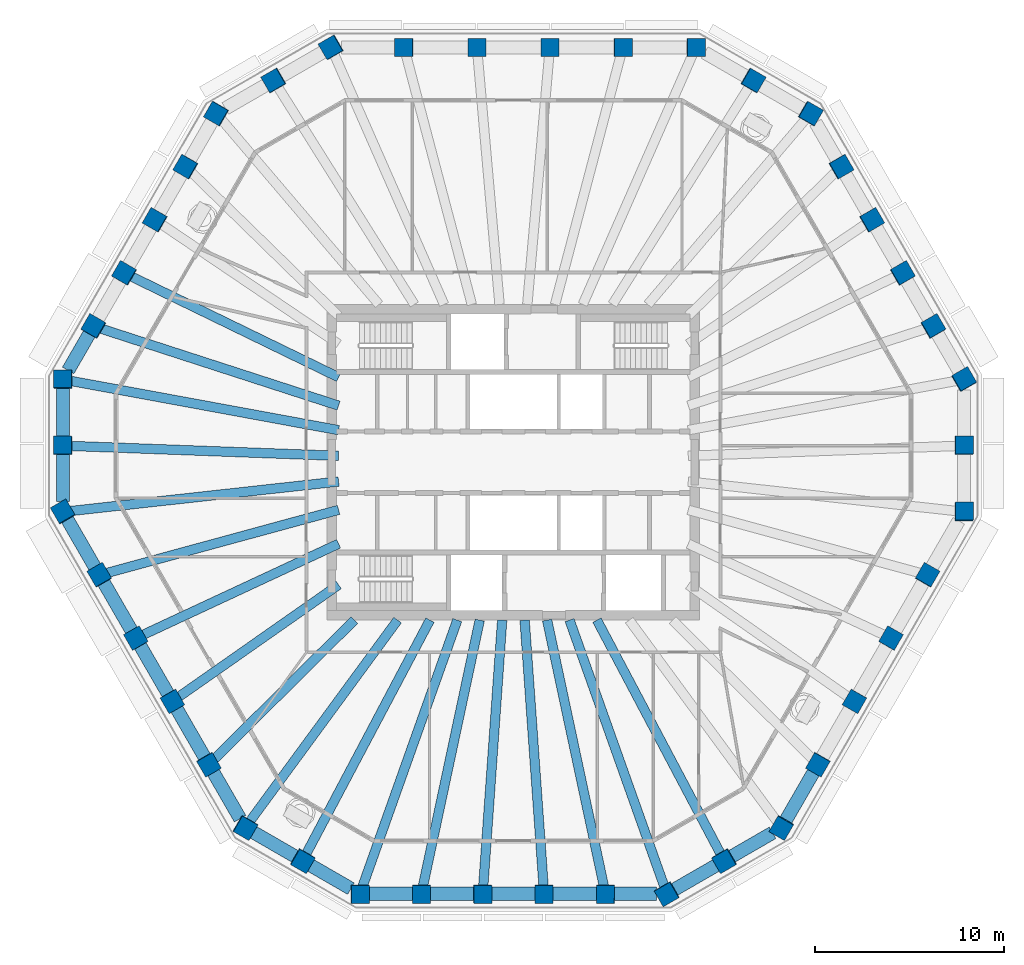
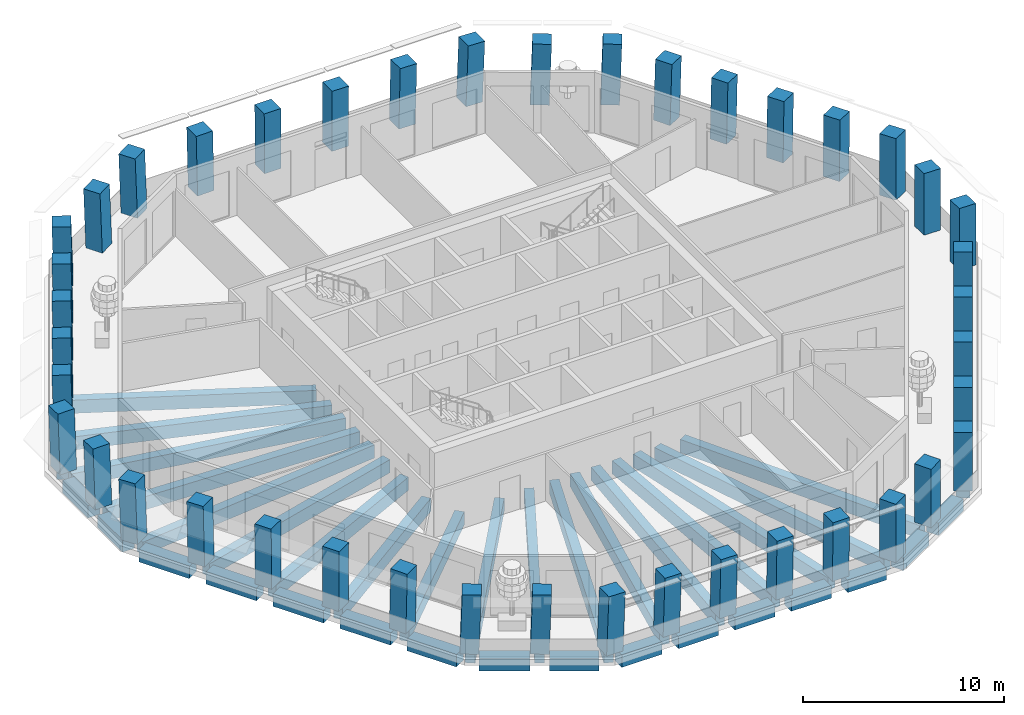
# One storey, part 1 of 12: 42 columns, 36 beams.
"""IFC4 building model written with IfcOpenShell, lengths in metres."""

from ifc_helpers import new_model, si_unit, direction, frame, origin, origin_2d, place, context, subcontext, project, spatial, rectangle, extrude, material, material_profile, profile_set, type_object, element, save


model = new_model("IFC4")

# Units and contexts
model_context = context("Model", 3, precision=1e-05, world=origin(), true_north=direction((0.0, 1.0)))
body_context = subcontext(model_context, "Body", "Model", "MODEL_VIEW")
ifc_project = project(units=[si_unit("LENGTHUNIT", "METRE"), si_unit("AREAUNIT", "SQUARE_METRE"), si_unit("VOLUMEUNIT", "CUBIC_METRE"), si_unit("PLANEANGLEUNIT", "RADIAN"), si_unit("MASSUNIT", "GRAM", prefix="KILO")], contexts=[model_context])

# Site, building, storey
site_placement = place(None, origin())
site = spatial("IfcSite", under=ifc_project, at=site_placement, CompositionType="ELEMENT")
building_placement = place(site_placement, origin())
building = spatial("IfcBuilding", under=site, at=building_placement, Name="Frailejon Research Tower", CompositionType="ELEMENT")
storey_placement = place(building_placement, frame((0.0, 0.0, 291.0)))
storey = spatial("IfcBuildingStorey", under=building, at=storey_placement, Name="L64", CompositionType="ELEMENT", Elevation=291.0)

# Columns
ifc_material_1 = material(Name="Concrete C50/60", Category="concrete")
ifc_material_profile_1 = material_profile(ifc_material_1, rectangle(XDim=0.949951171875, YDim=0.949951171875, at=origin_2d()), Name="Column 950")
ifc_profile_set_1 = profile_set([ifc_material_profile_1], Name="Concrete C50/60")
column_type = type_object("IfcColumnType", Name="Column 950", PredefinedType="COLUMN", material=ifc_profile_set_1)
for number, where, z_axis, x_axis, name in (
    (1, (23.831787109375, -2.6220703125, 0.0), (0.018115165867, 0.031417446337, 0.999342176049), (-0.001297375745, 0.999506085267, -0.031399081689), "Column C01"),
    (2, (23.831787109375, 0.8798828125, 0.0), (0.018115165867, 0.031417446337, 0.999342176049), (-0.001297375745, 0.999506085267, -0.031399081689), "Column C02"),
    (3, (23.831787109375, 4.3818359375, 0.0), (0.018115165867, 0.031417446337, 0.999342176049), (-0.501041092948, 0.865233799715, -0.018118913022), "Column C03"),
):
    element("IfcColumn", number, at=place(storey_placement, frame(where, z_axis=z_axis, x_axis=x_axis)), inside=storey, type_object=column_type, Name=name, PredefinedType="COLUMN", context=body_context, shape_type="SweptSolid", body=[
        extrude(rectangle(XDim=0.949951171875, YDim=0.949951171875, at=origin_2d()), origin(), (0.0, 0.0, 1.0), 3.65234375),
    ])
column_1_placement = place(storey_placement, frame((22.20751953125, 7.195068359375, 0.0), z_axis=(0.021793949015, 0.025136579231, 0.999446434868), x_axis=(-0.499665408411, 0.866150057728, -0.010888394553)))
element("IfcColumn", 4, at=column_1_placement, inside=storey, type_object=column_type, Name="Column C04", PredefinedType="COLUMN", context=body_context, shape_type="SweptSolid", body=[
    extrude(rectangle(XDim=0.949951171875, YDim=0.949951171875, at=origin_2d()), origin(), (0.0, 0.0, 1.0), 3.65185546875),
])
for number, where, z_axis, x_axis, name in (
    (5, (20.58349609375, 10.00830078125, 0.0), (0.025338523594, 0.018853466104, 0.999501128583), (-0.501175757197, 0.865337954228, -0.003617370643), "Column C05"),
    (6, (18.959228515625, 12.821533203125, 0.0), (0.029015583354, 0.012568962375, 0.99949993352), (-0.499848966802, 0.86610502362, 0.003619177736), "Column C06"),
):
    element("IfcColumn", number, at=place(storey_placement, frame(where, z_axis=z_axis, x_axis=x_axis)), inside=storey, type_object=column_type, Name=name, PredefinedType="COLUMN", context=body_context, shape_type="SweptSolid", body=[
        extrude(rectangle(XDim=0.949951171875, YDim=0.949951171875, at=origin_2d()), origin(), (0.0, 0.0, 1.0), 3.651611328125),
    ])
column_2_placement = place(storey_placement, frame((17.3349609375, 15.634765625, 0.0), z_axis=(0.032624119908, 0.006284154245, 0.999447935715), x_axis=(-0.499397268022, 0.866305114166, 0.010854393717)))
element("IfcColumn", 7, at=column_2_placement, inside=storey, type_object=column_type, Name="Column C07", PredefinedType="COLUMN", context=body_context, shape_type="SweptSolid", body=[
    extrude(rectangle(XDim=0.949951171875, YDim=0.949951171875, at=origin_2d()), origin(), (0.0, 0.0, 1.0), 3.65185546875),
])
for number, where, z_axis, x_axis, name in (
    (8, (15.710693359375, 18.447998046875, 0.0), (0.036297136169, 0.0, 0.99934104184), (-0.865312543657, 0.500246354177, 0.031429077673), "Column C08"),
    (9, (12.677978515625, 20.198974609375, 0.0), (0.036230378439, 0.0, 0.99934346432), (-0.865314641241, 0.500246354177, 0.031371273281), "Column C09"),
    (10, (9.645263671875, 21.949951171875, 0.0), (0.036230378439, 0.0, 0.99934346432), (-0.99934346432, 0.0, 0.036230378439), "Column C10"),
):
    element("IfcColumn", number, at=place(storey_placement, frame(where, z_axis=z_axis, x_axis=x_axis)), inside=storey, type_object=column_type, Name=name, PredefinedType="COLUMN", context=body_context, shape_type="SweptSolid", body=[
        extrude(rectangle(XDim=0.949951171875, YDim=0.949951171875, at=origin_2d()), origin(), (0.0, 0.0, 1.0), 3.65234375),
    ])
column_3_placement = place(storey_placement, frame((5.787109375, 21.949951171875, 0.0), z_axis=(0.021800837506, 0.0, 0.999762333499), x_axis=(-0.999762333499, 0.0, 0.021800837506)))
element("IfcColumn", 11, at=column_3_placement, inside=storey, type_object=column_type, Name="Column C11", PredefinedType="COLUMN", context=body_context, shape_type="SweptSolid", body=[
    extrude(rectangle(XDim=0.949951171875, YDim=0.949951171875, at=origin_2d()), origin(), (0.0, 0.0, 1.0), 3.65087890625),
])
for number, where, z_axis, x_axis, name in (
    (12, (1.928955078125, 21.949951171875, 0.0), (0.00729077612, 0.0, 0.999973421939), (-0.999973421939, 0.0, 0.00729077612), "Column C12"),
    (13, (-1.928955078125, 21.949951171875, 0.0), (-0.00729077612, 0.0, 0.999973421939), (-0.999973421939, 0.0, -0.00729077612), "Column C13"),
):
    element("IfcColumn", number, at=place(storey_placement, frame(where, z_axis=z_axis, x_axis=x_axis)), inside=storey, type_object=column_type, Name=name, PredefinedType="COLUMN", context=body_context, shape_type="SweptSolid", body=[
        extrude(rectangle(XDim=0.949951171875, YDim=0.949951171875, at=origin_2d()), origin(), (0.0, 0.0, 1.0), 3.64990234375),
    ])
column_4_placement = place(storey_placement, frame((-5.787109375, 21.949951171875, 0.0), z_axis=(-0.021800837506, 0.0, 0.999762333499), x_axis=(-0.999762333499, 0.0, -0.021800837506)))
element("IfcColumn", 14, at=column_4_placement, inside=storey, type_object=column_type, Name="Column C14", PredefinedType="COLUMN", context=body_context, shape_type="SweptSolid", body=[
    extrude(rectangle(XDim=0.949951171875, YDim=0.949951171875, at=origin_2d()), origin(), (0.0, 0.0, 1.0), 3.65087890625),
])
for number, where, z_axis, x_axis, name in (
    (15, (-9.645263671875, 21.949951171875, 0.0), (-0.036230378439, 0.0, 0.99934346432), (-0.865314641241, -0.500246354177, -0.031371273281), "Column C15"),
    (16, (-12.677978515625, 20.198974609375, 0.0), (-0.036230378439, 0.0, 0.99934346432), (-0.865314641241, -0.500246354177, -0.031371273281), "Column C16"),
    (17, (-15.710693359375, 18.447998046875, 0.0), (-0.036297136169, 0.0, 0.99934104184), (-0.49942428864, -0.866167613071, -0.018139624664), "Column C17"),
):
    element("IfcColumn", number, at=place(storey_placement, frame(where, z_axis=z_axis, x_axis=x_axis)), inside=storey, type_object=column_type, Name=name, PredefinedType="COLUMN", context=body_context, shape_type="SweptSolid", body=[
        extrude(rectangle(XDim=0.949951171875, YDim=0.949951171875, at=origin_2d()), origin(), (0.0, 0.0, 1.0), 3.65234375),
    ])
column_5_placement = place(storey_placement, frame((-17.3349609375, 15.634765625, 0.0), z_axis=(-0.032624119908, 0.006284154245, 0.999447935715), x_axis=(-0.499397268022, -0.866305114166, -0.010854393717)))
element("IfcColumn", 18, at=column_5_placement, inside=storey, type_object=column_type, Name="Column C18", PredefinedType="COLUMN", context=body_context, shape_type="SweptSolid", body=[
    extrude(rectangle(XDim=0.949951171875, YDim=0.949951171875, at=origin_2d()), origin(), (0.0, 0.0, 1.0), 3.65185546875),
])
for number, where, z_axis, x_axis, name in (
    (19, (-18.959228515625, 12.821533203125, 0.0), (-0.029015583354, 0.012568962375, 0.99949993352), (-0.499848966802, -0.86610502362, -0.003619177736), "Column C19"),
    (20, (-20.58349609375, 10.00830078125, 0.0), (-0.025338523594, 0.018853466104, 0.999501128583), (-0.501175757197, -0.865337954228, 0.003617370643), "Column C20"),
):
    element("IfcColumn", number, at=place(storey_placement, frame(where, z_axis=z_axis, x_axis=x_axis)), inside=storey, type_object=column_type, Name=name, PredefinedType="COLUMN", context=body_context, shape_type="SweptSolid", body=[
        extrude(rectangle(XDim=0.949951171875, YDim=0.949951171875, at=origin_2d()), origin(), (0.0, 0.0, 1.0), 3.651611328125),
    ])
column_6_placement = place(storey_placement, frame((-22.20751953125, 7.195068359375, 0.0), z_axis=(-0.021793949015, 0.025136579231, 0.999446434868), x_axis=(-0.499665408411, -0.866150057728, 0.010888394553)))
element("IfcColumn", 21, at=column_6_placement, inside=storey, type_object=column_type, Name="Column C21", PredefinedType="COLUMN", context=body_context, shape_type="SweptSolid", body=[
    extrude(rectangle(XDim=0.949951171875, YDim=0.949951171875, at=origin_2d()), origin(), (0.0, 0.0, 1.0), 3.65185546875),
])
for number, where, z_axis, x_axis, name in (
    (22, (-23.831787109375, 4.3818359375, 0.0), (-0.018115165867, 0.031417446337, 0.999342176049), (-0.001297375745, -0.999506085267, 0.031399081689), "Column C22"),
    (23, (-23.831787109375, 0.8798828125, 0.0), (-0.018115165867, 0.031417446337, 0.999342176049), (-0.001297375745, -0.999506085267, 0.031399081689), "Column C23"),
    (24, (-23.831787109375, -2.6220703125, 0.0), (-0.018115165867, 0.031417446337, 0.999342176049), (0.499040470376, -0.865819492615, 0.036265894916), "Column C24"),
):
    element("IfcColumn", number, at=place(storey_placement, frame(where, z_axis=z_axis, x_axis=x_axis)), inside=storey, type_object=column_type, Name=name, PredefinedType="COLUMN", context=body_context, shape_type="SweptSolid", body=[
        extrude(rectangle(XDim=0.949951171875, YDim=0.949951171875, at=origin_2d()), origin(), (0.0, 0.0, 1.0), 3.65234375),
    ])
column_7_placement = place(storey_placement, frame((-21.90283203125, -5.963134765625, 0.0), z_axis=(-0.010900423214, 0.018858400897, 0.999762742599), x_axis=(0.499728924135, -0.865907930491, 0.021782063614)))
element("IfcColumn", 25, at=column_7_placement, inside=storey, type_object=column_type, Name="Column C25", PredefinedType="COLUMN", context=body_context, shape_type="SweptSolid", body=[
    extrude(rectangle(XDim=0.949951171875, YDim=0.949951171875, at=origin_2d()), origin(), (0.0, 0.0, 1.0), 3.65087890625),
])
for number, where, z_axis, x_axis, name in (
    (26, (-19.973876953125, -9.304443359375, 0.0), (-0.003611945175, 0.00628746012, 0.999973710503), (0.497890394796, -0.867209649664, 0.007251089524), "Column C26"),
    (27, (-18.044677734375, -12.6455078125, 0.0), (0.003611945175, -0.00628746012, 0.999973710503), (0.497890394796, -0.867209649664, -0.007251089524), "Column C27"),
):
    element("IfcColumn", number, at=place(storey_placement, frame(where, z_axis=z_axis, x_axis=x_axis)), inside=storey, type_object=column_type, Name=name, PredefinedType="COLUMN", context=body_context, shape_type="SweptSolid", body=[
        extrude(rectangle(XDim=0.949951171875, YDim=0.949951171875, at=origin_2d()), origin(), (0.0, 0.0, 1.0), 3.64990234375),
    ])
column_8_placement = place(storey_placement, frame((-16.11572265625, -15.98681640625, 0.0), z_axis=(0.010900423214, -0.018858400897, 0.999762742599), x_axis=(0.500590318805, -0.865410234662, -0.021782067434)))
element("IfcColumn", 28, at=column_8_placement, inside=storey, type_object=column_type, Name="Column C28", PredefinedType="COLUMN", context=body_context, shape_type="SweptSolid", body=[
    extrude(rectangle(XDim=0.949951171875, YDim=0.949951171875, at=origin_2d()), origin(), (0.0, 0.0, 1.0), 3.65087890625),
])
for number, where, z_axis, x_axis, name in (
    (29, (-14.186767578125, -19.327880859375, 0.0), (0.018115165867, -0.031417446337, 0.999342176049), (0.865519692755, -0.499889378995, -0.031404939456), "Column C29"),
    (30, (-11.15380859375, -21.0791015625, 0.0), (0.018115203871, -0.031350666477, 0.999344272561), (0.865981217505, -0.499092579547, -0.031354871555), "Column C30"),
    (31, (-8.12109375, -22.829833984375, 0.0), (0.018115165867, -0.031417446337, 0.999342176049), (0.999835642796, -0.000157281862, -0.01812905563), "Column C31"),
):
    element("IfcColumn", number, at=place(storey_placement, frame(where, z_axis=z_axis, x_axis=x_axis)), inside=storey, type_object=column_type, Name=name, PredefinedType="COLUMN", context=body_context, shape_type="SweptSolid", body=[
        extrude(rectangle(XDim=0.949951171875, YDim=0.949951171875, at=origin_2d()), origin(), (0.0, 0.0, 1.0), 3.65234375),
    ])
column_9_placement = place(storey_placement, frame((-4.872802734375, -22.829833984375, 0.0), z_axis=(0.010896978963, -0.031420736888, 0.99944684358), x_axis=(0.999940625187, 0.000298260455, -0.010892985919)))
element("IfcColumn", 32, at=column_9_placement, inside=storey, type_object=column_type, Name="Column C32", PredefinedType="COLUMN", context=body_context, shape_type="SweptSolid", body=[
    extrude(rectangle(XDim=0.949951171875, YDim=0.949951171875, at=origin_2d()), origin(), (0.0, 0.0, 1.0), 3.65185546875),
])
for number, where, z_axis, x_axis, name in (
    (33, (-1.624267578125, -22.829833984375, 0.0), (0.003610232938, -0.031422397791, 0.999499674405), (0.999993379572, -0.000341341874, -0.00362274737), "Column C33"),
    (34, (1.624267578125, -22.829833984375, 0.0), (-0.003610232938, -0.031422397791, 0.999499674405), (0.999993379572, 0.000341341874, 0.00362274737), "Column C34"),
):
    element("IfcColumn", number, at=place(storey_placement, frame(where, z_axis=z_axis, x_axis=x_axis)), inside=storey, type_object=column_type, Name=name, PredefinedType="COLUMN", context=body_context, shape_type="SweptSolid", body=[
        extrude(rectangle(XDim=0.949951171875, YDim=0.949951171875, at=origin_2d()), origin(), (0.0, 0.0, 1.0), 3.651611328125),
    ])
column_10_placement = place(storey_placement, frame((4.872802734375, -22.829833984375, 0.0), z_axis=(-0.010896978963, -0.031420736888, 0.99944684358), x_axis=(0.999940625187, -0.000298260455, 0.010892985919)))
element("IfcColumn", 35, at=column_10_placement, inside=storey, type_object=column_type, Name="Column C35", PredefinedType="COLUMN", context=body_context, shape_type="SweptSolid", body=[
    extrude(rectangle(XDim=0.949951171875, YDim=0.949951171875, at=origin_2d()), origin(), (0.0, 0.0, 1.0), 3.65185546875),
])
for number, where, z_axis, x_axis, name in (
    (36, (8.12109375, -22.829833984375, 0.0), (-0.018115165867, -0.031417446337, 0.999342176049), (0.865519692755, 0.499889378995, 0.031404939456), "Column C36"),
    (37, (11.15380859375, -21.0791015625, 0.0), (-0.018115203871, -0.031350666477, 0.999344272561), (0.865981217505, 0.499092579547, 0.031354871555), "Column C37"),
    (38, (14.186767578125, -19.327880859375, 0.0), (-0.018115165867, -0.031417446337, 0.999342176049), (0.499040470376, 0.865819492615, 0.036265894916), "Column C38"),
):
    element("IfcColumn", number, at=place(storey_placement, frame(where, z_axis=z_axis, x_axis=x_axis)), inside=storey, type_object=column_type, Name=name, PredefinedType="COLUMN", context=body_context, shape_type="SweptSolid", body=[
        extrude(rectangle(XDim=0.949951171875, YDim=0.949951171875, at=origin_2d()), origin(), (0.0, 0.0, 1.0), 3.65234375),
    ])
column_11_placement = place(storey_placement, frame((16.11572265625, -15.98681640625, 0.0), z_axis=(-0.010900423214, -0.018858400897, 0.999762742599), x_axis=(0.500590318805, 0.865410234662, 0.021782067434)))
element("IfcColumn", 39, at=column_11_placement, inside=storey, type_object=column_type, Name="Column C39", PredefinedType="COLUMN", context=body_context, shape_type="SweptSolid", body=[
    extrude(rectangle(XDim=0.949951171875, YDim=0.949951171875, at=origin_2d()), origin(), (0.0, 0.0, 1.0), 3.65087890625),
])
for number, where, z_axis, x_axis, name in (
    (40, (18.044677734375, -12.6455078125, 0.0), (-0.003611945175, -0.00628746012, 0.999973710503), (0.497890394796, 0.867209649664, 0.007251089524), "Column C40"),
    (41, (19.973876953125, -9.304443359375, 0.0), (0.003611945175, 0.00628746012, 0.999973710503), (0.497890394796, 0.867209649664, -0.007251089524), "Column C41"),
):
    element("IfcColumn", number, at=place(storey_placement, frame(where, z_axis=z_axis, x_axis=x_axis)), inside=storey, type_object=column_type, Name=name, PredefinedType="COLUMN", context=body_context, shape_type="SweptSolid", body=[
        extrude(rectangle(XDim=0.949951171875, YDim=0.949951171875, at=origin_2d()), origin(), (0.0, 0.0, 1.0), 3.64990234375),
    ])
column_12_placement = place(storey_placement, frame((21.90283203125, -5.963134765625, 0.0), z_axis=(0.010900423214, 0.018858400897, 0.999762742599), x_axis=(0.499728924135, 0.865907930491, -0.021782063614)))
element("IfcColumn", 42, at=column_12_placement, inside=storey, type_object=column_type, Name="Column C42", PredefinedType="COLUMN", context=body_context, shape_type="SweptSolid", body=[
    extrude(rectangle(XDim=0.949951171875, YDim=0.949951171875, at=origin_2d()), origin(), (0.0, 0.0, 1.0), 3.65087890625),
])

# Beams
ifc_material_2 = material(Name="Concrete C60/75", Category="concrete")
ifc_material_profile_2 = material_profile(ifc_material_2, rectangle(XDim=0.5, YDim=0.800048828125, at=origin_2d()), Name="Girder 500x800")
ifc_profile_set_2 = profile_set([ifc_material_profile_2], Name="Concrete C60/75")
beam_type_1 = type_object("IfcBeamType", Name="Girder 500x800", PredefinedType="BEAM", material=ifc_profile_set_2)
beam_1_placement = place(storey_placement, frame((-20.2900390625, 9.86572265625, -0.699951171875), z_axis=(0.899328316815, -0.437274031442, 0.0), x_axis=(0.437274031442, 0.899328316815, 0.0)))
element("IfcBeam", 43, at=beam_1_placement, inside=storey, type_object=beam_type_1, Name="Girder 500x800", PredefinedType="BEAM", context=body_context, shape_type="SweptSolid", body=[
    extrude(rectangle(XDim=0.5, YDim=0.800048828125, at=origin_2d()), origin(), (0.0, 0.0, 1.0), 12.27587890625),
])
beam_2_placement = place(storey_placement, frame((-21.88818359375, 7.091552734375, -0.699951171875), z_axis=(0.951314310857, -0.308222455312, 0.0), x_axis=(0.308222455312, 0.951314310857, 0.0)))
element("IfcBeam", 44, at=beam_2_placement, inside=storey, type_object=beam_type_1, Name="Girder 500x800", PredefinedType="BEAM", context=body_context, shape_type="SweptSolid", body=[
    extrude(rectangle(XDim=0.5, YDim=0.800048828125, at=origin_2d()), origin(), (0.0, 0.0, 1.0), 13.284912109375),
])
beam_3_placement = place(storey_placement, frame((-23.50439453125, 4.32177734375, -0.699951171875), z_axis=(0.983511108445, -0.180847724802, 0.0), x_axis=(0.180847724802, 0.983511108445, 0.0)))
element("IfcBeam", 45, at=beam_3_placement, inside=storey, type_object=beam_type_1, Name="Girder 500x800", PredefinedType="BEAM", context=body_context, shape_type="SweptSolid", body=[
    extrude(rectangle(XDim=0.5, YDim=0.800048828125, at=origin_2d()), origin(), (0.0, 0.0, 1.0), 14.493408203125),
])
beam_4_placement = place(storey_placement, frame((-23.506591796875, 0.867919921875, -0.699951171875), z_axis=(0.999319117049, -0.036895830403, 0.0), x_axis=(0.036895830403, 0.999319117049, 0.0)))
element("IfcBeam", 46, at=beam_4_placement, inside=storey, type_object=beam_type_1, Name="Girder 500x800", PredefinedType="BEAM", context=body_context, shape_type="SweptSolid", body=[
    extrude(rectangle(XDim=0.5, YDim=0.800048828125, at=origin_2d()), origin(), (0.0, 0.0, 1.0), 14.266357421875),
])
beam_5_placement = place(storey_placement, frame((-23.465087890625, -2.581787109375, -0.699951171875), z_axis=(0.994000180478, 0.109378431195, 0.0), x_axis=(-0.109378431195, 0.994000180478, 0.0)))
element("IfcBeam", 47, at=beam_5_placement, inside=storey, type_object=beam_type_1, Name="Girder 500x800", PredefinedType="BEAM", context=body_context, shape_type="SweptSolid", body=[
    extrude(rectangle(XDim=0.5, YDim=0.800048828125, at=origin_2d()), origin(), (0.0, 0.0, 1.0), 14.30078125),
])
beam_6_placement = place(storey_placement, frame((-21.573486328125, -5.87353515625, -0.699951171875), z_axis=(0.9648775399, 0.262700081836, 0.0), x_axis=(-0.262700081836, 0.9648775399, 0.0)))
element("IfcBeam", 48, at=beam_6_placement, inside=storey, type_object=beam_type_1, Name="Girder 500x800", PredefinedType="BEAM", context=body_context, shape_type="SweptSolid", body=[
    extrude(rectangle(XDim=0.5, YDim=0.800048828125, at=origin_2d()), origin(), (0.0, 0.0, 1.0), 12.77197265625),
])
beam_7_placement = place(storey_placement, frame((-19.677490234375, -9.16650390625, -0.699951171875), z_axis=(0.906465965262, 0.422278881572, 0.0), x_axis=(-0.422278881572, 0.906465965262, 0.0)))
element("IfcBeam", 49, at=beam_7_placement, inside=storey, type_object=beam_type_1, Name="Girder 500x800", PredefinedType="BEAM", context=body_context, shape_type="SweptSolid", body=[
    extrude(rectangle(XDim=0.5, YDim=0.800048828125, at=origin_2d()), origin(), (0.0, 0.0, 1.0), 11.50341796875),
])
beam_8_placement = place(storey_placement, frame((-17.777099609375, -12.4580078125, -0.699951171875), z_axis=(0.818933293048, 0.573888718775, 0.0), x_axis=(-0.573888718775, 0.818933293048, 0.0)))
element("IfcBeam", 50, at=beam_8_placement, inside=storey, type_object=beam_type_1, Name="Girder 500x800", PredefinedType="BEAM", context=body_context, shape_type="SweptSolid", body=[
    extrude(rectangle(XDim=0.5, YDim=0.800048828125, at=origin_2d()), origin(), (0.0, 0.0, 1.0), 10.412353515625),
])
beam_9_placement = place(storey_placement, frame((-15.873291015625, -15.74658203125, -0.699951171875), z_axis=(0.70993712297, 0.704265064751, 0.0), x_axis=(-0.704265064751, 0.70993712297, 0.0)))
element("IfcBeam", 51, at=beam_9_placement, inside=storey, type_object=beam_type_1, Name="Girder 500x800", PredefinedType="BEAM", context=body_context, shape_type="SweptSolid", body=[
    extrude(rectangle(XDim=0.5, YDim=0.800048828125, at=origin_2d()), origin(), (0.0, 0.0, 1.0), 10.50244140625),
])
beam_10_placement = place(storey_placement, frame((-13.99267578125, -19.063720703125, -0.699951171875), z_axis=(0.591711637994, 0.806149699164, 0.0), x_axis=(-0.806149699164, 0.591711637994, 0.0)))
element("IfcBeam", 52, at=beam_10_placement, inside=storey, type_object=beam_type_1, Name="Girder 500x800", PredefinedType="BEAM", context=body_context, shape_type="SweptSolid", body=[
    extrude(rectangle(XDim=0.5, YDim=0.800048828125, at=origin_2d()), origin(), (0.0, 0.0, 1.0), 13.289794921875),
])
beam_11_placement = place(storey_placement, frame((-11.001708984375, -20.79150390625, -0.699951171875), z_axis=(0.467700433792, 0.883887042687, 0.0), x_axis=(-0.883887042687, 0.467700433792, 0.0)))
element("IfcBeam", 53, at=beam_11_placement, inside=storey, type_object=beam_type_1, Name="Girder 500x800", PredefinedType="BEAM", context=body_context, shape_type="SweptSolid", body=[
    extrude(rectangle(XDim=0.5, YDim=0.800048828125, at=origin_2d()), origin(), (0.0, 0.0, 1.0), 14.07568359375),
])
beam_12_placement = place(storey_placement, frame((-8.00244140625, -22.49609375, -0.699951171875), z_axis=(0.335159792495, 0.942161299086, 0.0), x_axis=(-0.942161299086, 0.335159792495, 0.0)))
element("IfcBeam", 54, at=beam_12_placement, inside=storey, type_object=beam_type_1, Name="Girder 500x800", PredefinedType="BEAM", context=body_context, shape_type="SweptSolid", body=[
    extrude(rectangle(XDim=0.5, YDim=0.800048828125, at=origin_2d()), origin(), (0.0, 0.0, 1.0), 15.014404296875),
])
beam_13_placement = place(storey_placement, frame((-4.802490234375, -22.501708984375, -0.699951171875), z_axis=(0.208721309631, 0.977975160679, 0.0), x_axis=(-0.977975160679, 0.208721309631, 0.0)))
element("IfcBeam", 55, at=beam_13_placement, inside=storey, type_object=beam_type_1, Name="Girder 500x800", PredefinedType="BEAM", context=body_context, shape_type="SweptSolid", body=[
    extrude(rectangle(XDim=0.5, YDim=0.800048828125, at=origin_2d()), origin(), (0.0, 0.0, 1.0), 14.47021484375),
])
for number, where, z_axis, x_axis, name in (
    (56, (-1.60107421875, -22.50439453125, -0.699951171875), (0.070970718868, 0.997478399297, 0.0), (-0.997478399297, 0.070970718868, 0.0), "Girder 500x800"),
    (57, (1.60107421875, -22.50439453125, -0.699951171875), (-0.070970718868, 0.997478399297, 0.0), (-0.997478399297, -0.070970718868, 0.0), "Girder 500x800"),
):
    element("IfcBeam", number, at=place(storey_placement, frame(where, z_axis=z_axis, x_axis=x_axis)), inside=storey, type_object=beam_type_1, Name=name, PredefinedType="BEAM", context=body_context, shape_type="SweptSolid", body=[
        extrude(rectangle(XDim=0.5, YDim=0.800048828125, at=origin_2d()), origin(), (0.0, 0.0, 1.0), 14.190185546875),
    ])
beam_14_placement = place(storey_placement, frame((4.802490234375, -22.501708984375, -0.699951171875), z_axis=(-0.208721309631, 0.977975160679, 0.0), x_axis=(-0.977975160679, -0.208721309631, 0.0)))
element("IfcBeam", 58, at=beam_14_placement, inside=storey, type_object=beam_type_1, Name="Girder 500x800", PredefinedType="BEAM", context=body_context, shape_type="SweptSolid", body=[
    extrude(rectangle(XDim=0.5, YDim=0.800048828125, at=origin_2d()), origin(), (0.0, 0.0, 1.0), 14.47021484375),
])
beam_15_placement = place(storey_placement, frame((8.009521484375, -22.51611328125, -0.699951171875), z_axis=(-0.335157338259, 0.94216217214, 0.0), x_axis=(-0.94216217214, -0.335157338259, 0.0)))
element("IfcBeam", 59, at=beam_15_placement, inside=storey, type_object=beam_type_1, Name="Girder 500x800", PredefinedType="BEAM", context=body_context, shape_type="SweptSolid", body=[
    extrude(rectangle(XDim=0.5, YDim=0.800048828125, at=origin_2d()), origin(), (0.0, 0.0, 1.0), 15.03564453125),
])
beam_16_placement = place(storey_placement, frame((11.001708984375, -20.79150390625, -0.699951171875), z_axis=(-0.467700433792, 0.883887042687, 0.0), x_axis=(-0.883887042687, -0.467700433792, 0.0)))
element("IfcBeam", 60, at=beam_16_placement, inside=storey, type_object=beam_type_1, Name="Girder 500x800", PredefinedType="BEAM", context=body_context, shape_type="SweptSolid", body=[
    extrude(rectangle(XDim=0.5, YDim=0.800048828125, at=origin_2d()), origin(), (0.0, 0.0, 1.0), 14.07568359375),
])
ifc_material_3 = material(Name="Concrete C60/75", Category="concrete")
ifc_material_profile_3 = material_profile(ifc_material_3, rectangle(XDim=0.699951171875, YDim=0.75, at=origin_2d()), Name="Spandrel 700x750")
ifc_profile_set_3 = profile_set([ifc_material_profile_3], Name="Concrete C60/75")
beam_type_2 = type_object("IfcBeamType", Name="Spandrel 700x750", PredefinedType="BEAM", material=ifc_profile_set_3)
beam_17_placement = place(storey_placement, frame((-22.445068359375, 6.78369140625, -0.72509765625), z_axis=(-0.500045401358, -0.865999189711, 0.0), x_axis=(0.865999189711, -0.500045401358, 0.0)))
element("IfcBeam", 61, at=beam_17_placement, inside=storey, type_object=beam_type_2, Name="Spandrel 700x750", PredefinedType="BEAM", context=body_context, shape_type="SweptSolid", body=[
    extrude(rectangle(XDim=0.699951171875, YDim=0.75, at=origin_2d()), origin(), (0.0, 0.0, 1.0), 2.224853515625),
])
beam_18_placement = place(storey_placement, frame((-23.831787109375, 3.906982421875, -0.72509765625), z_axis=(0.0, -1.0, 0.0), x_axis=(1.0, 0.0, 0.0)))
element("IfcBeam", 62, at=beam_18_placement, inside=storey, type_object=beam_type_2, Name="Spandrel 700x750", PredefinedType="BEAM", context=body_context, shape_type="SweptSolid", body=[
    extrude(rectangle(XDim=0.699951171875, YDim=0.75, at=origin_2d()), origin(), (0.0, 0.0, 1.0), 2.552001953125),
])
beam_19_placement = place(storey_placement, frame((-23.831787109375, 0.40478515625, -0.72509765625), z_axis=(0.0, -1.0, 0.0), x_axis=(1.0, 0.0, 0.0)))
element("IfcBeam", 63, at=beam_19_placement, inside=storey, type_object=beam_type_2, Name="Spandrel 700x750", PredefinedType="BEAM", context=body_context, shape_type="SweptSolid", body=[
    extrude(rectangle(XDim=0.699951171875, YDim=0.75, at=origin_2d()), origin(), (0.0, 0.0, 1.0), 2.478271484375),
])
beam_20_placement = place(storey_placement, frame((-23.59423828125, -3.033447265625, -0.72509765625), z_axis=(0.499976825411, -0.866038783226, 0.0), x_axis=(0.866038783226, 0.499976825411, 0.0)))
element("IfcBeam", 64, at=beam_20_placement, inside=storey, type_object=beam_type_2, Name="Spandrel 700x750", PredefinedType="BEAM", context=body_context, shape_type="SweptSolid", body=[
    extrude(rectangle(XDim=0.699951171875, YDim=0.75, at=origin_2d()), origin(), (0.0, 0.0, 1.0), 2.907958984375),
])
beam_21_placement = place(storey_placement, frame((-21.665283203125, -6.37451171875, -0.72509765625), z_axis=(0.50000343918, -0.866023418164, 0.0), x_axis=(0.866023418164, 0.50000343918, 0.0)))
element("IfcBeam", 65, at=beam_21_placement, inside=storey, type_object=beam_type_2, Name="Spandrel 700x750", PredefinedType="BEAM", context=body_context, shape_type="SweptSolid", body=[
    extrude(rectangle(XDim=0.699951171875, YDim=0.75, at=origin_2d()), origin(), (0.0, 0.0, 1.0), 2.908203125),
])
for number, where, z_axis, x_axis, name in (
    (66, (-19.736328125, -9.7158203125, -0.72509765625), (0.500039792765, -0.866002428202, 0.0), (0.866002428202, 0.500039792765, 0.0), "Spandrel 700x750"),
    (67, (-17.80712890625, -13.056884765625, -0.72509765625), (0.499940473352, -0.866059768783, 0.0), (0.866059768783, 0.499940473352, 0.0), "Spandrel 700x750"),
):
    element("IfcBeam", number, at=place(storey_placement, frame(where, z_axis=z_axis, x_axis=x_axis)), inside=storey, type_object=beam_type_2, Name=name, PredefinedType="BEAM", context=body_context, shape_type="SweptSolid", body=[
        extrude(rectangle(XDim=0.699951171875, YDim=0.75, at=origin_2d()), origin(), (0.0, 0.0, 1.0), 2.907958984375),
    ])
beam_22_placement = place(storey_placement, frame((-15.878173828125, -16.398193359375, -0.72509765625), z_axis=(0.499983401189, -0.8660349869, 0.0), x_axis=(0.8660349869, 0.499983401189, 0.0)))
element("IfcBeam", 68, at=beam_22_placement, inside=storey, type_object=beam_type_2, Name="Spandrel 700x750", PredefinedType="BEAM", context=body_context, shape_type="SweptSolid", body=[
    extrude(rectangle(XDim=0.699951171875, YDim=0.75, at=origin_2d()), origin(), (0.0, 0.0, 1.0), 2.83447265625),
])
beam_23_placement = place(storey_placement, frame((-13.775390625, -19.5654296875, -0.72509765625), z_axis=(0.866015130346, -0.500017793695, 0.0), x_axis=(0.500017793695, 0.866015130346, 0.0)))
element("IfcBeam", 69, at=beam_23_placement, inside=storey, type_object=beam_type_2, Name="Spandrel 700x750", PredefinedType="BEAM", context=body_context, shape_type="SweptSolid", body=[
    extrude(rectangle(XDim=0.699951171875, YDim=0.75, at=origin_2d()), origin(), (0.0, 0.0, 1.0), 2.55224609375),
])
beam_24_placement = place(storey_placement, frame((-10.742431640625, -21.31640625, -0.72509765625), z_axis=(0.866003486907, -0.500037959224, 0.0), x_axis=(0.500037959224, 0.866003486907, 0.0)))
element("IfcBeam", 70, at=beam_24_placement, inside=storey, type_object=beam_type_2, Name="Spandrel 700x750", PredefinedType="BEAM", context=body_context, shape_type="SweptSolid", body=[
    extrude(rectangle(XDim=0.699951171875, YDim=0.75, at=origin_2d()), origin(), (0.0, 0.0, 1.0), 2.478271484375),
])
beam_25_placement = place(storey_placement, frame((-7.64599609375, -22.829833984375, -0.72509765625), z_axis=(1.0, 0.0, 0.0), x_axis=(0.0, 1.0, 0.0)))
element("IfcBeam", 71, at=beam_25_placement, inside=storey, type_object=beam_type_2, Name="Spandrel 700x750", PredefinedType="BEAM", context=body_context, shape_type="SweptSolid", body=[
    extrude(rectangle(XDim=0.699951171875, YDim=0.75, at=origin_2d()), origin(), (0.0, 0.0, 1.0), 2.29833984375),
])
beam_26_placement = place(storey_placement, frame((-4.397705078125, -22.829833984375, -0.72509765625), z_axis=(1.0, 0.0, 0.0), x_axis=(0.0, 1.0, 0.0)))
element("IfcBeam", 72, at=beam_26_placement, inside=storey, type_object=beam_type_2, Name="Spandrel 700x750", PredefinedType="BEAM", context=body_context, shape_type="SweptSolid", body=[
    extrude(rectangle(XDim=0.699951171875, YDim=0.75, at=origin_2d()), origin(), (0.0, 0.0, 1.0), 2.298583984375),
])
beam_27_placement = place(storey_placement, frame((-1.149169921875, -22.829833984375, -0.72509765625), z_axis=(1.0, 0.0, 0.0), x_axis=(0.0, 1.0, 0.0)))
element("IfcBeam", 73, at=beam_27_placement, inside=storey, type_object=beam_type_2, Name="Spandrel 700x750", PredefinedType="BEAM", context=body_context, shape_type="SweptSolid", body=[
    extrude(rectangle(XDim=0.699951171875, YDim=0.75, at=origin_2d()), origin(), (0.0, 0.0, 1.0), 2.29833984375),
])
beam_28_placement = place(storey_placement, frame((2.09912109375, -22.829833984375, -0.72509765625), z_axis=(1.0, 0.0, 0.0), x_axis=(0.0, 1.0, 0.0)))
element("IfcBeam", 74, at=beam_28_placement, inside=storey, type_object=beam_type_2, Name="Spandrel 700x750", PredefinedType="BEAM", context=body_context, shape_type="SweptSolid", body=[
    extrude(rectangle(XDim=0.699951171875, YDim=0.75, at=origin_2d()), origin(), (0.0, 0.0, 1.0), 2.298583984375),
])
beam_29_placement = place(storey_placement, frame((5.34765625, -22.829833984375, -0.72509765625), z_axis=(1.0, 0.0, 0.0), x_axis=(0.0, 1.0, 0.0)))
element("IfcBeam", 75, at=beam_29_placement, inside=storey, type_object=beam_type_2, Name="Spandrel 700x750", PredefinedType="BEAM", context=body_context, shape_type="SweptSolid", body=[
    extrude(rectangle(XDim=0.699951171875, YDim=0.75, at=origin_2d()), origin(), (0.0, 0.0, 1.0), 2.224853515625),
])
beam_30_placement = place(storey_placement, frame((8.532470703125, -22.59228515625, -0.72509765625), z_axis=(0.866032638483, 0.499987468925, 0.0), x_axis=(-0.499987468925, 0.866032638483, 0.0)))
element("IfcBeam", 76, at=beam_30_placement, inside=storey, type_object=beam_type_2, Name="Spandrel 700x750", PredefinedType="BEAM", context=body_context, shape_type="SweptSolid", body=[
    extrude(rectangle(XDim=0.699951171875, YDim=0.75, at=origin_2d()), origin(), (0.0, 0.0, 1.0), 2.5517578125),
])
beam_31_placement = place(storey_placement, frame((11.565185546875, -20.841552734375, -0.72509765625), z_axis=(0.866028115054, 0.499995303914, 0.0), x_axis=(-0.499995303914, 0.866028115054, 0.0)))
element("IfcBeam", 77, at=beam_31_placement, inside=storey, type_object=beam_type_2, Name="Spandrel 700x750", PredefinedType="BEAM", context=body_context, shape_type="SweptSolid", body=[
    extrude(rectangle(XDim=0.699951171875, YDim=0.75, at=origin_2d()), origin(), (0.0, 0.0, 1.0), 2.478515625),
])
beam_32_placement = place(storey_placement, frame((14.42431640625, -18.91650390625, -0.72509765625), z_axis=(0.499976825411, 0.866038783226, 0.0), x_axis=(-0.866038783226, 0.499976825411, 0.0)))
element("IfcBeam", 78, at=beam_32_placement, inside=storey, type_object=beam_type_2, Name="Spandrel 700x750", PredefinedType="BEAM", context=body_context, shape_type="SweptSolid", body=[
    extrude(rectangle(XDim=0.699951171875, YDim=0.75, at=origin_2d()), origin(), (0.0, 0.0, 1.0), 2.907958984375),
])

save(model, "model.ifc")
